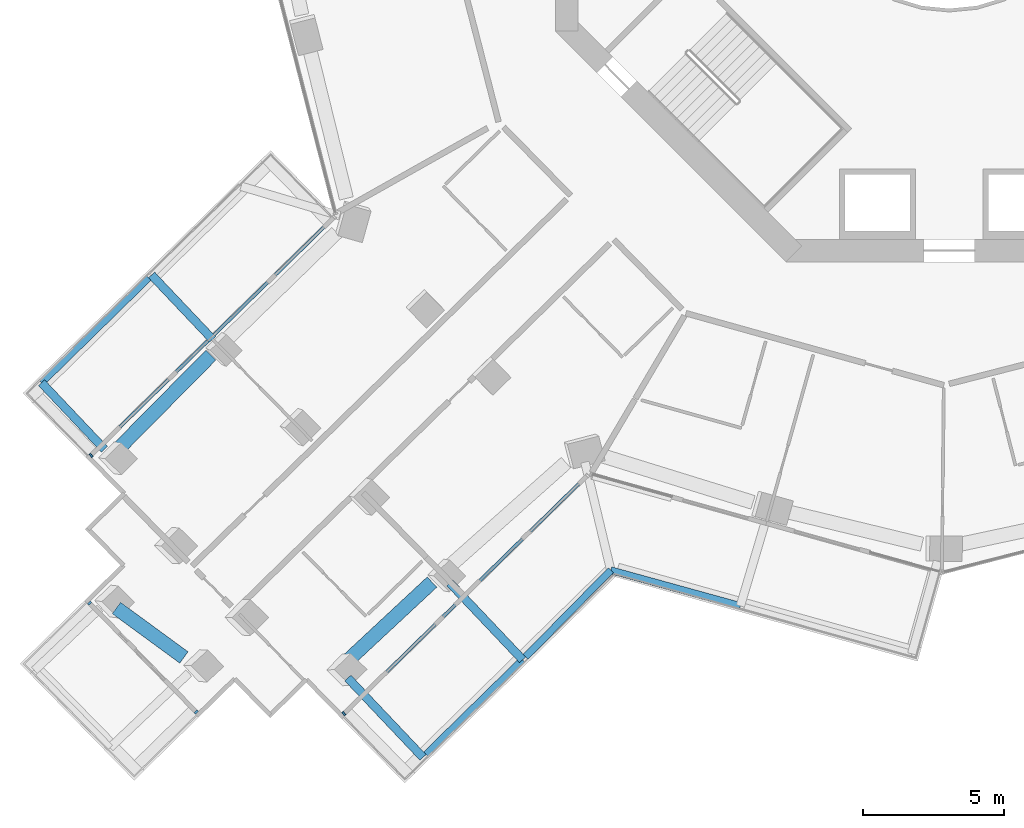
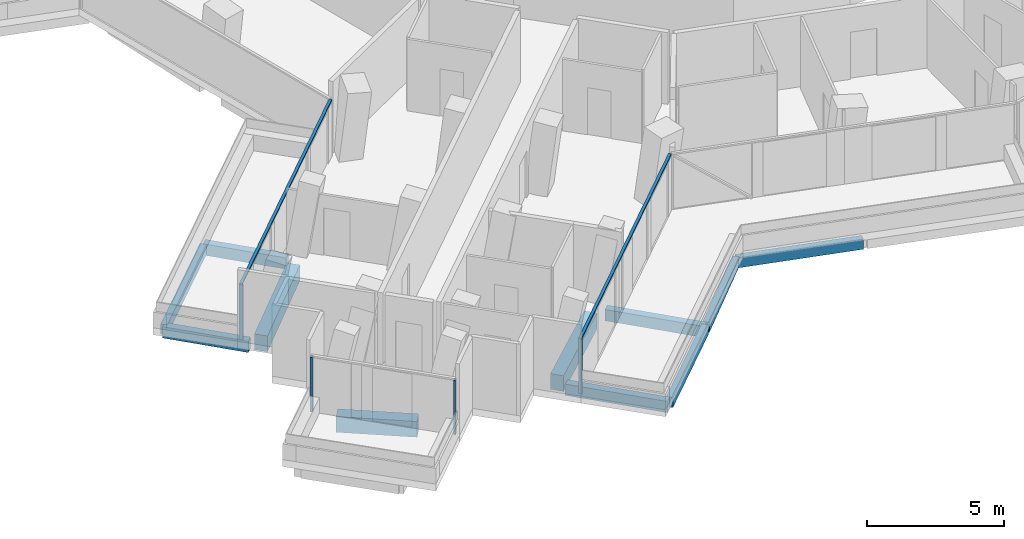
# One storey, part 2 of 26: 11 beams, 6 members, 3 elements without a shape of their own.
"""IFC4 building model written with IfcOpenShell, lengths in metres."""

from ifc_helpers import new_model, si_unit, direction, frame, origin, origin_2d, place, context, subcontext, project, spatial, rectangle, extrude, material, layer, layer_set, material_profile, profile_set, type_object, element, aggregate, save


model = new_model("IFC4")

# Units and contexts
model_context = context("Model", 3, precision=1e-05, world=origin(), true_north=direction((0.0, 1.0)))
body_context = subcontext(model_context, "Body", "Model", "MODEL_VIEW")
ifc_project = project(units=[si_unit("LENGTHUNIT", "METRE"), si_unit("AREAUNIT", "SQUARE_METRE"), si_unit("VOLUMEUNIT", "CUBIC_METRE"), si_unit("PLANEANGLEUNIT", "RADIAN"), si_unit("MASSUNIT", "GRAM", prefix="KILO")], contexts=[model_context])

# Site, building, storey
site_placement = place(None, origin())
site = spatial("IfcSite", under=ifc_project, at=site_placement, CompositionType="ELEMENT")
building_placement = place(site_placement, origin())
building = spatial("IfcBuilding", under=site, at=building_placement, Name="Verdalira Terraces Hotel", CompositionType="ELEMENT")
storey_placement = place(building_placement, frame((0.0, 0.0, 93.0)))
storey = spatial("IfcBuildingStorey", under=building, at=storey_placement, Name="L21", CompositionType="ELEMENT", Elevation=93.0)

# Beams
ifc_material_1 = material(Name="Concrete C40", Category="concrete")
ifc_material_profile_1 = material_profile(ifc_material_1, rectangle(XDim=0.300049, YDim=0.5, at=origin_2d()), Name="RC 300X500")
ifc_profile_set_1 = profile_set([ifc_material_profile_1], Name="Concrete C40")
beam_type_1 = type_object("IfcBeamType", Name="Balcony cantilever beam RC 300X500 C40", PredefinedType="BEAM", material=ifc_profile_set_1)
beam_1_placement = place(storey_placement, frame((-26.179932, -16.756104, -0.560059), z_axis=(-0.687577223, 0.72611126, 0.0), x_axis=(-0.72611126, -0.687577223, 0.0)))
element("IfcBeam", 1, at=beam_1_placement, inside=storey, type_object=beam_type_1, Name="Balcony cantilever beam R14-2", PredefinedType="BEAM", context=body_context, shape_type="SweptSolid", body=[
    extrude(rectangle(XDim=0.300049, YDim=0.5, at=origin_2d()), origin(), (0.0, 0.0, 1.0), 3.155273),
])
beam_2_placement = place(storey_placement, frame((-30.021484, -20.659912, -0.560059), z_axis=(-0.687576187, 0.726112242, 0.0), x_axis=(-0.726112242, -0.687576187, 0.0)))
element("IfcBeam", 2, at=beam_2_placement, inside=storey, type_object=beam_type_1, Name="Balcony cantilever beam R14-3", PredefinedType="BEAM", context=body_context, shape_type="SweptSolid", body=[
    extrude(rectangle(XDim=0.300049, YDim=0.5, at=origin_2d()), origin(), (0.0, 0.0, 1.0), 3.256348),
])
beam_3_placement = place(storey_placement, frame((-21.372803, -28.791016, -0.560059), z_axis=(0.687610385, -0.726079857, 0.0), x_axis=(0.726079857, 0.687610385, 0.0)))
element("IfcBeam", 3, at=beam_3_placement, inside=storey, type_object=beam_type_1, Name="Balcony cantilever beam R24-1", PredefinedType="BEAM", context=body_context, shape_type="SweptSolid", body=[
    extrude(rectangle(XDim=0.300049, YDim=0.5, at=origin_2d()), origin(), (0.0, 0.0, 1.0), 3.884033),
])
beam_4_placement = place(storey_placement, frame((-17.749756, -25.407715, -0.560059), z_axis=(0.687591799, -0.726097458, 0.0), x_axis=(0.726097458, 0.687591799, 0.0)))
element("IfcBeam", 4, at=beam_4_placement, inside=storey, type_object=beam_type_1, Name="Balcony cantilever beam R24-2", PredefinedType="BEAM", context=body_context, shape_type="SweptSolid", body=[
    extrude(rectangle(XDim=0.300049, YDim=0.5, at=origin_2d()), origin(), (0.0, 0.0, 1.0), 3.766113),
])
ifc_material_2 = material(Name="Concrete C40", Category="concrete")
ifc_material_profile_2 = material_profile(ifc_material_2, rectangle(XDim=0.25, YDim=0.449951, at=origin_2d()), Name="RC 250X450")
ifc_profile_set_2 = profile_set([ifc_material_profile_2], Name="Concrete C40")
beam_type_2 = type_object("IfcBeamType", Name="Balcony edge beam RC 250X450 C40", PredefinedType="BEAM", material=ifc_profile_set_2)
beam_5_placement = place(storey_placement, frame((-28.456543, -14.570068, -0.534912), z_axis=(-0.714450731, -0.699685753, 0.0), x_axis=(0.699685753, -0.714450731, 0.0)))
element("IfcBeam", 5, at=beam_5_placement, inside=storey, type_object=beam_type_2, Name="Balcony edge beam R14-2", PredefinedType="BEAM", context=body_context, shape_type="SweptSolid", body=[
    extrude(rectangle(XDim=0.25, YDim=0.449951, at=origin_2d()), origin(), (0.0, 0.0, 1.0), 5.324219),
])
beam_6_placement = place(storey_placement, frame((-18.594971, -31.506104, -0.534912), z_axis=(0.714457009, 0.699679343, 0.0), x_axis=(-0.699679343, 0.714457009, 0.0)))
element("IfcBeam", 6, at=beam_6_placement, inside=storey, type_object=beam_type_2, Name="Balcony edge beam R24-1", PredefinedType="BEAM", context=body_context, shape_type="SweptSolid", body=[
    extrude(rectangle(XDim=0.25, YDim=0.449951, at=origin_2d()), origin(), (0.0, 0.0, 1.0), 4.807617),
])
beam_7_placement = place(storey_placement, frame((-15.054688, -28.0354, -0.534912), z_axis=(0.701455308, 0.712713442, 0.0), x_axis=(-0.712713442, 0.701455308, 0.0)))
element("IfcBeam", 7, at=beam_7_placement, inside=storey, type_object=beam_type_2, Name="Balcony edge beam R24-2", PredefinedType="BEAM", context=body_context, shape_type="SweptSolid", body=[
    extrude(rectangle(XDim=0.25, YDim=0.449951, at=origin_2d()), origin(), (0.0, 0.0, 1.0), 4.31543),
])
beam_8_placement = place(storey_placement, frame((-12.027588, -24.959717, -0.534912), z_axis=(0.964068041, -0.26565544, 0.0), x_axis=(0.26565544, 0.964068041, 0.0)))
element("IfcBeam", 8, at=beam_8_placement, inside=storey, type_object=beam_type_2, Name="Balcony edge beam R24-3", PredefinedType="BEAM", context=body_context, shape_type="SweptSolid", body=[
    extrude(rectangle(XDim=0.25, YDim=0.449951, at=origin_2d()), origin(), (0.0, 0.0, 1.0), 4.776123),
])

# Curtain wall, member
ifc_material_3 = material(Name="Clear glass", Category="glass")
ifc_layer_1 = layer(ifc_material_3, 0.14990234375)
ifc_layer_set_1 = layer_set([ifc_layer_1], Name="CW2 curtain wall")
curtain_wall_type_1 = type_object("IfcCurtainWallType", Name="CW2 curtain wall", PredefinedType="NOTDEFINED", material=ifc_layer_set_1)
curtain_wall_1_placement = place(storey_placement, origin())
curtain_wall_1 = element("IfcCurtainWall", 9, at=curtain_wall_1_placement, inside=storey, type_object=curtain_wall_type_1, Name="CW2 curtain wall L21 edge 14", PredefinedType="NOTDEFINED")
ifc_material_4 = material(Name="Terracotta frame", Category="masonry")
ifc_material_profile_3 = material_profile(ifc_material_4, rectangle(XDim=0.070068, YDim=0.149902, at=origin_2d()), Name="MU 70x150")
ifc_profile_set_3 = profile_set([ifc_material_profile_3], Name="Terracotta frame")
member_type_1 = type_object("IfcMemberType", Name="CW2 mullion 70x150", PredefinedType="MULLION", material=ifc_profile_set_3)
member_1_placement = place(storey_placement, frame((-30.500244, -20.875488, 0.0), z_axis=(0.0, 0.0, 1.0), x_axis=(-0.71447268, -0.699663341, 0.0)))
member_1 = element("IfcMember", 10, at=member_1_placement, type_object=member_type_1, Name="CW2 mullion", PredefinedType="MULLION", context=body_context, shape_type="SweptSolid", body=[
    extrude(rectangle(XDim=0.070068, YDim=0.149902, at=origin_2d()), origin(), (0.0, 0.0, 1.0), 2.425049),
])

curtain_wall_2_placement = place(storey_placement, origin())
curtain_wall_2 = element("IfcCurtainWall", 11, at=curtain_wall_2_placement, inside=storey, type_object=curtain_wall_type_1, Name="CW2 curtain wall L21 edge 24", PredefinedType="NOTDEFINED")
member_2_placement = place(storey_placement, frame((-21.509521, -30.056396, 0.0), z_axis=(0.0, 0.0, 1.0), x_axis=(0.71447268, 0.699663341, 0.0)))
member_2 = element("IfcMember", 12, at=member_2_placement, type_object=member_type_1, Name="CW2 mullion", PredefinedType="MULLION", context=body_context, shape_type="SweptSolid", body=[
    extrude(rectangle(XDim=0.070068, YDim=0.149902, at=origin_2d()), origin(), (0.0, 0.0, 1.0), 2.425049),
])

# Member
ifc_material_5 = material(Name="Terracotta frame", Category="masonry")
ifc_material_profile_4 = material_profile(ifc_material_5, rectangle(XDim=0.11499, YDim=0.064941, at=origin_2d()), Name="TR 65x115")
ifc_profile_set_4 = profile_set([ifc_material_profile_4], Name="Terracotta frame")
member_type_2 = type_object("IfcMemberType", Name="CW2 transom 65x115", PredefinedType="USERDEFINED", material=ifc_profile_set_4)
member_3_placement = place(storey_placement, frame((-21.827148, -12.38208, 2.45752), z_axis=(-0.714468028, -0.69966809, 0.0), x_axis=(0.69966809, -0.714468028, 0.0)))
member_3 = element("IfcMember", 13, at=member_3_placement, type_object=member_type_2, Name="CW2 transom", ObjectType="TRANSOM", PredefinedType="USERDEFINED", context=body_context, shape_type="SweptSolid", body=[
    extrude(rectangle(XDim=0.11499, YDim=0.064941, at=origin_2d()), origin(), (0.0, 0.0, 1.0), 12.174072),
])

aggregate(curtain_wall_1, [member_1, member_3])

member_4_placement = place(storey_placement, frame((-21.534668, -30.080811, 2.45752), z_axis=(0.714478053, 0.699657853, 0.0), x_axis=(-0.699657853, 0.714478053, 0.0)))
member_4 = element("IfcMember", 14, at=member_4_placement, type_object=member_type_2, Name="CW2 transom", ObjectType="TRANSOM", PredefinedType="USERDEFINED", context=body_context, shape_type="SweptSolid", body=[
    extrude(rectangle(XDim=0.11499, YDim=0.064941, at=origin_2d()), origin(), (0.0, 0.0, 1.0), 12.173828),
])

aggregate(curtain_wall_2, [member_2, member_4])

# Curtain wall, members
ifc_material_6 = material(Name="Clear glass", Category="glass")
ifc_layer_2 = layer(ifc_material_6, 0.14990234375)
ifc_layer_set_2 = layer_set([ifc_layer_2], Name="CW3 curtain wall")
curtain_wall_type_2 = type_object("IfcCurtainWallType", Name="CW3 curtain wall", PredefinedType="NOTDEFINED", material=ifc_layer_set_2)
curtain_wall_3_placement = place(storey_placement, origin())
curtain_wall_3 = element("IfcCurtainWall", 15, at=curtain_wall_3_placement, inside=storey, type_object=curtain_wall_type_2, Name="CW3 curtain wall L21 edge 19", PredefinedType="NOTDEFINED")
ifc_material_7 = material(Name="Terracotta frame", Category="masonry")
ifc_material_profile_5 = material_profile(ifc_material_7, rectangle(XDim=0.080078, YDim=0.149902, at=origin_2d()), Name="MU 80x150")
ifc_profile_set_5 = profile_set([ifc_material_profile_5], Name="Terracotta frame")
member_type_3 = type_object("IfcMemberType", Name="CW3 mullion 80x150", PredefinedType="MULLION", material=ifc_profile_set_5)
member_5_placement = place(storey_placement, frame((-30.551758, -26.125488, 0.0), z_axis=(0.0, 0.0, 1.0), x_axis=(0.699663341, -0.71447268, 0.0)))
member_5 = element("IfcMember", 16, at=member_5_placement, type_object=member_type_3, Name="CW3 mullion", PredefinedType="MULLION", context=body_context, shape_type="SweptSolid", body=[
    extrude(rectangle(XDim=0.080078, YDim=0.149902, at=origin_2d()), origin(), (0.0, 0.0, 1.0), 2.425049),
])
member_6_placement = place(storey_placement, frame((-26.759521, -29.997803, 0.0), z_axis=(0.0, 0.0, 1.0), x_axis=(0.699663341, -0.71447268, 0.0)))
member_6 = element("IfcMember", 17, at=member_6_placement, type_object=member_type_3, Name="CW3 mullion", PredefinedType="MULLION", context=body_context, shape_type="SweptSolid", body=[
    extrude(rectangle(XDim=0.080078, YDim=0.149902, at=origin_2d()), origin(), (0.0, 0.0, 1.0), 2.425049),
])
aggregate(curtain_wall_3, [member_5, member_6])

# Beams
ifc_material_8 = material(Name="Concrete C70", Category="concrete")
ifc_material_profile_6 = material_profile(ifc_material_8, rectangle(XDim=0.5, YDim=0.699951, at=origin_2d()), Name="RC 500X700")
ifc_profile_set_6 = profile_set([ifc_material_profile_6], Name="Concrete C70")
beam_type_3 = type_object("IfcBeamType", Name="Spandrel beam RC 500X700 C70", PredefinedType="SPANDREL", material=ifc_profile_set_6)
beam_9_placement = place(storey_placement, frame((-26.243164, -17.31543, -0.659912), z_axis=(-0.702682666, -0.711503388, 0.0), x_axis=(0.711503388, -0.702682666, 0.0)))
element("IfcBeam", 18, at=beam_9_placement, inside=storey, type_object=beam_type_3, Name="Spandrel beam B11", PredefinedType="SPANDREL", context=body_context, shape_type="SweptSolid", body=[
    extrude(rectangle(XDim=0.5, YDim=0.699951, at=origin_2d()), origin(), (0.0, 0.0, 1.0), 4.67749),
])
beam_10_placement = place(storey_placement, frame((-29.599121, -26.301758, -0.659912), z_axis=(0.80695016, -0.590619539, 0.0), x_axis=(0.590619539, 0.80695016, 0.0)))
element("IfcBeam", 19, at=beam_10_placement, inside=storey, type_object=beam_type_3, Name="Spandrel beam B12", PredefinedType="SPANDREL", context=body_context, shape_type="SweptSolid", body=[
    extrude(rectangle(XDim=0.5, YDim=0.699951, at=origin_2d()), origin(), (0.0, 0.0, 1.0), 2.973633),
])
beam_11_placement = place(storey_placement, frame((-21.439209, -28.226318, -0.659912), z_axis=(0.731989455, 0.68131596, 0.0), x_axis=(-0.68131596, 0.731989455, 0.0)))
element("IfcBeam", 20, at=beam_11_placement, inside=storey, type_object=beam_type_3, Name="Spandrel beam B13", PredefinedType="SPANDREL", context=body_context, shape_type="SweptSolid", body=[
    extrude(rectangle(XDim=0.5, YDim=0.699951, at=origin_2d()), origin(), (0.0, 0.0, 1.0), 4.177246),
])

save(model, "model.ifc")
